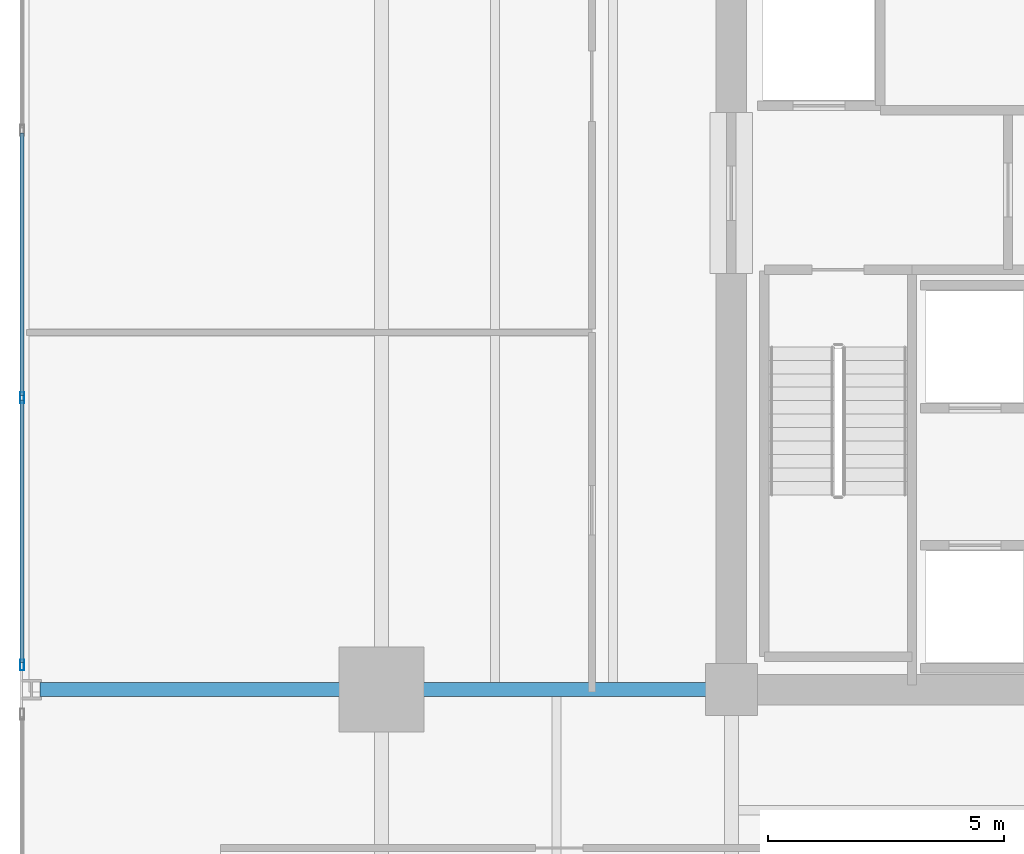
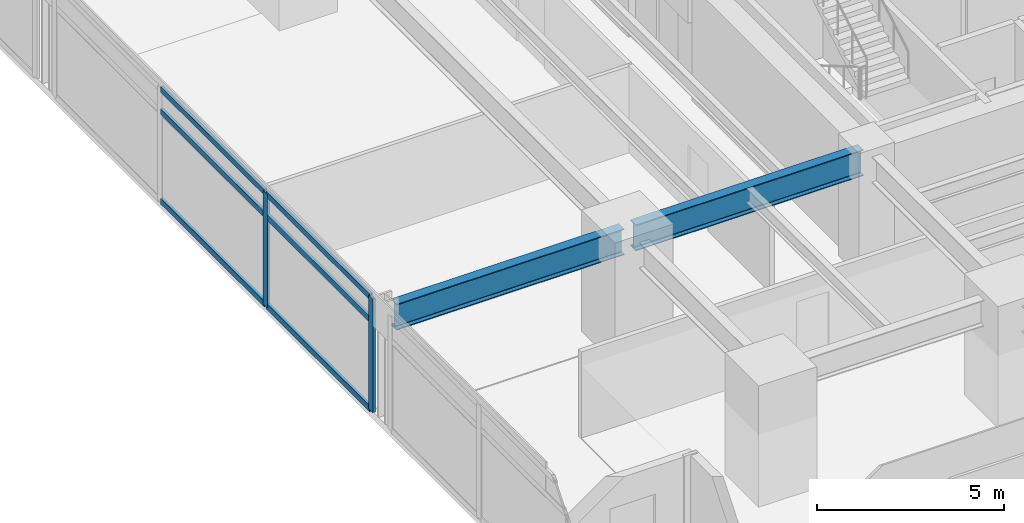
# One storey, part 5 of 25: 8 members, 2 beams, 1 element without a shape of its own.
"""IFC4 building model written with IfcOpenShell, lengths in metres."""

from ifc_helpers import new_model, si_unit, direction, frame, origin, origin_2d, place, context, subcontext, project, spatial, hollow_rectangle, i_section, extrude, material, material_profile, profile_set, type_object, element, aggregate, save


model = new_model("IFC4")

# Units and contexts
model_context = context("Model", 3, precision=1e-05, world=origin(), true_north=direction((0.0, 1.0)))
body_context = subcontext(model_context, "Body", "Model", "MODEL_VIEW")
ifc_project = project(units=[si_unit("LENGTHUNIT", "METRE"), si_unit("AREAUNIT", "SQUARE_METRE"), si_unit("VOLUMEUNIT", "CUBIC_METRE"), si_unit("PLANEANGLEUNIT", "RADIAN"), si_unit("MASSUNIT", "GRAM", prefix="KILO")], contexts=[model_context])

# Site, building, storey
site_placement = place(None, origin())
site = spatial("IfcSite", under=ifc_project, at=site_placement, CompositionType="ELEMENT")
building_placement = place(site_placement, origin())
building = spatial("IfcBuilding", under=site, at=building_placement, Name="Kovane Verandah Tower", CompositionType="ELEMENT")
storey_placement = place(building_placement, frame((0.0, 0.0, 67.60009765625)))
storey = spatial("IfcBuildingStorey", under=building, at=storey_placement, Name="L15", CompositionType="ELEMENT", Elevation=67.60009765625)

# Beams
ifc_material_1 = material(Name="Steel S355", Category="steel")
ifc_material_profile_1 = material_profile(ifc_material_1, i_section(OverallWidth=0.293701171875, OverallDepth=0.850830078125, WebThickness=0.01611328125, FlangeThickness=0.02685546875, FilletRadius=0.017822265625, at=origin_2d()), Name="UB838x292x226")
ifc_profile_set_1 = profile_set([ifc_material_profile_1], Name="Steel S355")
beam_type = type_object("IfcBeamType", Name="BM-UB838x226", PredefinedType="BEAM", material=ifc_profile_set_1)
for number, where, z_axis, x_axis, name in (
    (1, (28.820068359375, 18.5, 3.33447265625), (-1.0, 0.0, 0.0), (0.0, -1.0, 0.0), "L15 Primary Tower Girder G-W1"),
    (2, (21.419921875, 18.5, 3.33447265625), (-1.0, 0.0, 0.0), (0.0, -1.0, 0.0), "L15 Primary Tower Girder G-VW1"),
):
    element("IfcBeam", number, at=place(storey_placement, frame(where, z_axis=z_axis, x_axis=x_axis)), inside=storey, type_object=beam_type, Name=name, PredefinedType="BEAM", context=body_context, shape_type="SweptSolid", body=[
        extrude(i_section(OverallWidth=0.293701171875, OverallDepth=0.850830078125, WebThickness=0.01611328125, FlangeThickness=0.02685546875, FilletRadius=0.017822265625, at=origin_2d()), origin(), (0.0, 0.0, 1.0), 7.0400390625),
    ])

# Curtain wall, members
ifc_material_2 = material(Name="Champagne Anodised Aluminium Frame with Low-E Clear Laminated Glass", Category="aluminium")
curtain_wall_type = type_object("IfcCurtainWallType", Name="CW-SYS-02-LOW", PredefinedType="NOTDEFINED", material=ifc_material_2)
curtain_wall_placement = place(storey_placement, origin())
curtain_wall = element("IfcCurtainWall", 3, at=curtain_wall_placement, inside=storey, type_object=curtain_wall_type, Name="L15 W Unitised Curtain Wall-2", PredefinedType="NOTDEFINED")
ifc_material_3 = material(Name="Champagne Anodised Aluminium 6063-T6", Category="aluminium")
ifc_material_profile_2 = material_profile(ifc_material_3, hollow_rectangle(XDim=0.0849609375, YDim=0.22998046875, WallThickness=0.00390625, at=origin_2d()), Name="AL85x230x4")
ifc_profile_set_2 = profile_set([ifc_material_profile_2], Name="Champagne Anodised Aluminium 6063-T6")
member_type_1 = type_object("IfcMemberType", Name="CW-MUL-85x230", PredefinedType="MULLION", material=ifc_profile_set_2)
member_1_placement = place(storey_placement, frame((13.998779296875, 24.67333984375, 0.02001953125), z_axis=(0.0, 0.0, 1.0), x_axis=(-1.0, 0.0, 0.0)))
member_1 = element("IfcMember", 4, at=member_1_placement, type_object=member_type_1, Name="L15 W Unitised Curtain Wall-2 Mullion 3", PredefinedType="MULLION", context=body_context, shape_type="SweptSolid", body=[
    extrude(hollow_rectangle(XDim=0.0849609375, YDim=0.22998046875, WallThickness=0.00390625, at=origin_2d()), origin(), (0.0, 0.0, 1.0), 3.719970703125),
])
member_2_placement = place(storey_placement, frame((13.998779296875, 19.02001953125, 0.02001953125), z_axis=(0.0, 0.0, 1.0), x_axis=(-1.0, 0.0, 0.0)))
member_2 = element("IfcMember", 5, at=member_2_placement, type_object=member_type_1, Name="L15 W Unitised Curtain Wall-2 Mullion 4", PredefinedType="MULLION", context=body_context, shape_type="SweptSolid", body=[
    extrude(hollow_rectangle(XDim=0.0849609375, YDim=0.22998046875, WallThickness=0.00390625, at=origin_2d()), origin(), (0.0, 0.0, 1.0), 3.719970703125),
])
ifc_material_profile_3 = material_profile(ifc_material_3, hollow_rectangle(XDim=0.0849609375, YDim=0.18994140625, WallThickness=0.00390625, at=origin_2d()), Name="AL85x190x4")
ifc_profile_set_3 = profile_set([ifc_material_profile_3], Name="Champagne Anodised Aluminium 6063-T6")
member_type_2 = type_object("IfcMemberType", Name="CW-TRN-85x190", PredefinedType="USERDEFINED", material=ifc_profile_set_3)
member_3_placement = place(storey_placement, frame((13.998779296875, 30.276611328125, 0.0498046875), z_axis=(0.0, -1.0, 0.0), x_axis=(1.0, 0.0, 0.0)))
member_3 = element("IfcMember", 6, at=member_3_placement, type_object=member_type_2, Name="L15 W Unitised Curtain Wall-2 Transom TB Bay 2", ObjectType="TRANSOM", PredefinedType="USERDEFINED", context=body_context, shape_type="SweptSolid", body=[
    extrude(hollow_rectangle(XDim=0.0849609375, YDim=0.18994140625, WallThickness=0.00390625, at=origin_2d()), origin(), (0.0, 0.0, 1.0), 5.55322265625),
])
member_4_placement = place(storey_placement, frame((13.998779296875, 30.276611328125, 2.97998046875), z_axis=(0.0, -1.0, 0.0), x_axis=(1.0, 0.0, 0.0)))
member_4 = element("IfcMember", 7, at=member_4_placement, type_object=member_type_2, Name="L15 W Unitised Curtain Wall-2 Transom TM Bay 2", ObjectType="TRANSOM", PredefinedType="USERDEFINED", context=body_context, shape_type="SweptSolid", body=[
    extrude(hollow_rectangle(XDim=0.0849609375, YDim=0.18994140625, WallThickness=0.00390625, at=origin_2d()), origin(), (0.0, 0.0, 1.0), 5.55322265625),
])
member_5_placement = place(storey_placement, frame((13.998779296875, 30.276611328125, 3.7099609375), z_axis=(0.0, -1.0, 0.0), x_axis=(1.0, 0.0, 0.0)))
member_5 = element("IfcMember", 8, at=member_5_placement, type_object=member_type_2, Name="L15 W Unitised Curtain Wall-2 Transom TT Bay 2", ObjectType="TRANSOM", PredefinedType="USERDEFINED", context=body_context, shape_type="SweptSolid", body=[
    extrude(hollow_rectangle(XDim=0.0849609375, YDim=0.18994140625, WallThickness=0.00390625, at=origin_2d()), origin(), (0.0, 0.0, 1.0), 5.55322265625),
])
member_6_placement = place(storey_placement, frame((13.998779296875, 24.623291015625, 0.0498046875), z_axis=(0.0, -1.0, 0.0), x_axis=(1.0, 0.0, 0.0)))
member_6 = element("IfcMember", 9, at=member_6_placement, type_object=member_type_2, Name="L15 W Unitised Curtain Wall-2 Transom TB Bay 3", ObjectType="TRANSOM", PredefinedType="USERDEFINED", context=body_context, shape_type="SweptSolid", body=[
    extrude(hollow_rectangle(XDim=0.0849609375, YDim=0.18994140625, WallThickness=0.00390625, at=origin_2d()), origin(), (0.0, 0.0, 1.0), 5.55322265625),
])
member_7_placement = place(storey_placement, frame((13.998779296875, 24.623291015625, 2.97998046875), z_axis=(0.0, -1.0, 0.0), x_axis=(1.0, 0.0, 0.0)))
member_7 = element("IfcMember", 10, at=member_7_placement, type_object=member_type_2, Name="L15 W Unitised Curtain Wall-2 Transom TM Bay 3", ObjectType="TRANSOM", PredefinedType="USERDEFINED", context=body_context, shape_type="SweptSolid", body=[
    extrude(hollow_rectangle(XDim=0.0849609375, YDim=0.18994140625, WallThickness=0.00390625, at=origin_2d()), origin(), (0.0, 0.0, 1.0), 5.55322265625),
])
member_8_placement = place(storey_placement, frame((13.998779296875, 24.623291015625, 3.7099609375), z_axis=(0.0, -1.0, 0.0), x_axis=(1.0, 0.0, 0.0)))
member_8 = element("IfcMember", 11, at=member_8_placement, type_object=member_type_2, Name="L15 W Unitised Curtain Wall-2 Transom TT Bay 3", ObjectType="TRANSOM", PredefinedType="USERDEFINED", context=body_context, shape_type="SweptSolid", body=[
    extrude(hollow_rectangle(XDim=0.0849609375, YDim=0.18994140625, WallThickness=0.00390625, at=origin_2d()), origin(), (0.0, 0.0, 1.0), 5.55322265625),
])
aggregate(curtain_wall, [member_1, member_2, member_3, member_4, member_5, member_6, member_7, member_8])

save(model, "model.ifc")
